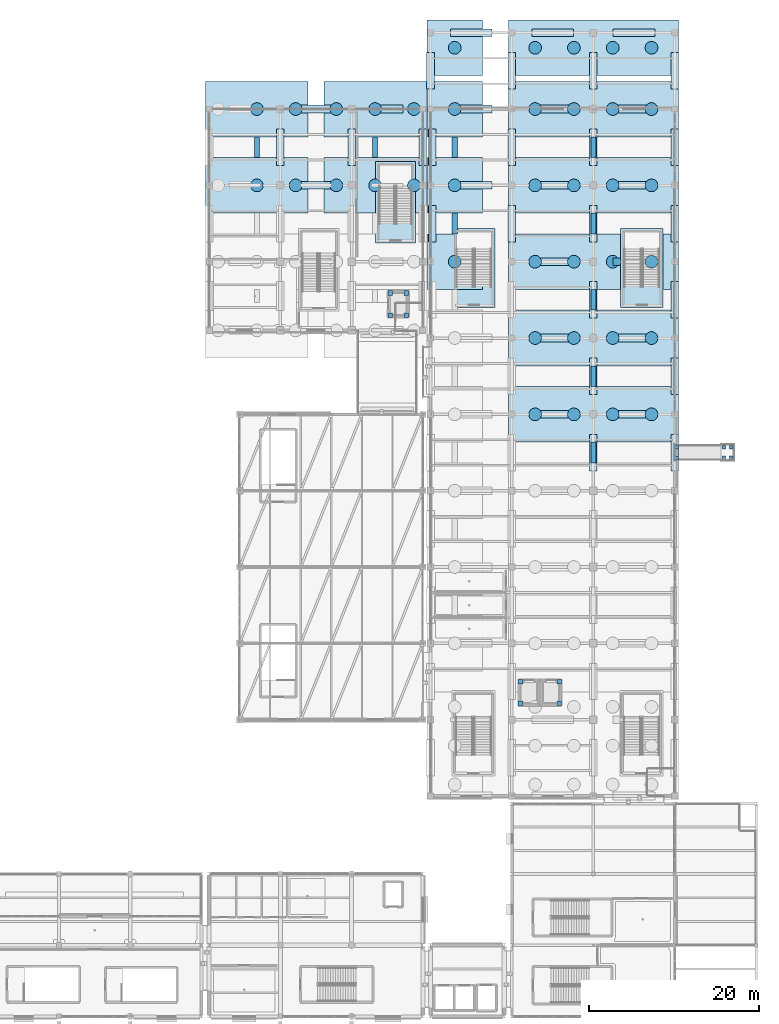
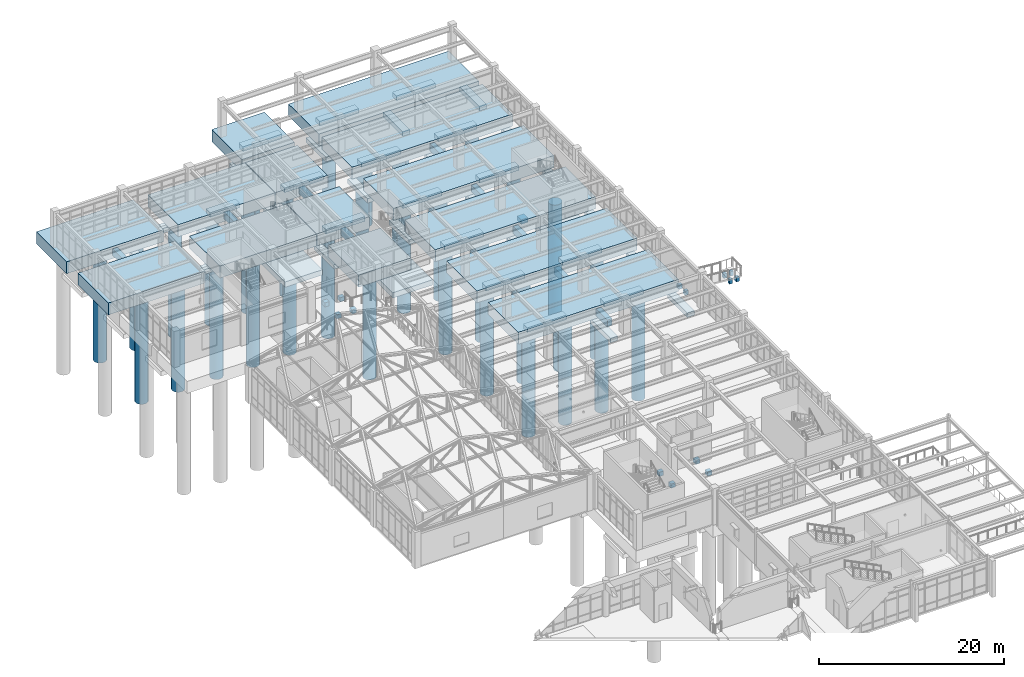
# One storey, part 2 of 139: 79 footings, 38 piles.
"""IFC4 building model written with IfcOpenShell, lengths in metres."""

from ifc_helpers import new_model, si_unit, direction, frame, origin, origin_2d, place, context, subcontext, project, spatial, rectangle, circle, extrude, material, material_profile, profile_set, type_object, element, save


model = new_model("IFC4")

# Units and contexts
model_context = context("Model", 3, precision=1e-05, world=origin(), true_north=direction((0.0, 1.0)))
body_context = subcontext(model_context, "Body", "Model", "MODEL_VIEW")
ifc_project = project(units=[si_unit("LENGTHUNIT", "METRE"), si_unit("AREAUNIT", "SQUARE_METRE"), si_unit("VOLUMEUNIT", "CUBIC_METRE"), si_unit("PLANEANGLEUNIT", "RADIAN"), si_unit("MASSUNIT", "GRAM", prefix="KILO")], contexts=[model_context])

# Site, building, storey
site_placement = place(None, origin())
site = spatial("IfcSite", under=ifc_project, at=site_placement, CompositionType="ELEMENT")
building_placement = place(site_placement, origin())
building = spatial("IfcBuilding", under=site, at=building_placement, Name="Canglan Escarpment Cableway Terminal", CompositionType="ELEMENT")
storey_placement = place(building_placement, frame((0.0, 0.0, 14.39990234375)))
storey = spatial("IfcBuildingStorey", under=building, at=storey_placement, Name="L03", CompositionType="ELEMENT", Elevation=14.39990234375)

# Footings
ifc_material = material(Name="Concrete C40", Category="concrete")
ifc_material_profile_1 = material_profile(ifc_material, rectangle(XDim=0.60009765625, YDim=0.89990234375, at=origin_2d()), Name="FB 600x900")
ifc_profile_set_1 = profile_set([ifc_material_profile_1], Name="Concrete C40")
footing_type_1 = type_object("IfcFootingType", Name="FTG-BEAM-600x900", PredefinedType="FOOTING_BEAM", material=ifc_profile_set_1)
for number, where, z_axis, x_axis, name in (
    (1, (117.12841796875, 109.279052734375, -0.75), (0.0, 1.0, 0.0), (-1.0, 0.0, 0.0), "Reinforced concrete ground tie beam FB-02"),
    (2, (131.071533203125, 109.279052734375, -0.75), (0.0, 1.0, 0.0), (-1.0, 0.0, 0.0), "Reinforced concrete ground tie beam FB-02"),
    (3, (140.45703125, 100.279052734375, -0.75), (0.0, 1.0, 0.0), (-1.0, 0.0, 0.0), "Reinforced concrete ground tie beam FB-02"),
    (4, (140.45703125, 109.279052734375, -0.75), (0.0, 1.0, 0.0), (-1.0, 0.0, 0.0), "Reinforced concrete ground tie beam FB-02"),
    (5, (156.800048828125, 73.279052734375, -0.75), (0.0, 1.0, 0.0), (-1.0, 0.0, 0.0), "Reinforced concrete ground tie beam FB-02"),
    (6, (156.800048828125, 82.279052734375, -0.75), (0.0, 1.0, 0.0), (-1.0, 0.0, 0.0), "Reinforced concrete ground tie beam FB-02"),
    (7, (156.800048828125, 91.279052734375, -0.75), (0.0, 1.0, 0.0), (-1.0, 0.0, 0.0), "Reinforced concrete ground tie beam FB-02"),
    (8, (156.800048828125, 100.279052734375, -0.75), (0.0, 1.0, 0.0), (-1.0, 0.0, 0.0), "Reinforced concrete ground tie beam FB-02"),
    (9, (156.800048828125, 109.279052734375, -0.75), (0.0, 1.0, 0.0), (-1.0, 0.0, 0.0), "Reinforced concrete ground tie beam FB-02"),
):
    element("IfcFooting", number, at=place(storey_placement, frame(where, z_axis=z_axis, x_axis=x_axis)), inside=storey, type_object=footing_type_1, Name=name, PredefinedType="FOOTING_BEAM", context=body_context, shape_type="SweptSolid", body=[
        extrude(rectangle(XDim=0.60009765625, YDim=0.89990234375, at=origin_2d()), origin(), (0.0, 0.0, 1.0), 2.44189453125),
    ])
footing_type_2 = type_object("IfcFootingType", Name="FTG-CAP-12097x6554x1580", PredefinedType="PILE_CAP", material=ifc_material)
for number, where, z_axis, x_axis, name in (
    (10, (117.12841796875, 106.0, -1.579833984375), (0.0, 0.0, 1.0), (1.0, 0.0, 0.0), "Reinforced concrete pile cap PC-10"),
    (11, (117.12841796875, 115.0, -1.579833984375), (0.0, 0.0, 1.0), (1.0, 0.0, 0.0), "Reinforced concrete pile cap PC-10"),
    (12, (131.071533203125, 106.0, -1.579833984375), (0.0, 0.0, 1.0), (1.0, 0.0, 0.0), "Reinforced concrete pile cap PC-10"),
    (13, (131.071533203125, 115.0, -1.579833984375), (0.0, 0.0, 1.0), (1.0, 0.0, 0.0), "Reinforced concrete pile cap PC-10"),
):
    element("IfcFooting", number, at=place(storey_placement, frame(where, z_axis=z_axis, x_axis=x_axis)), inside=storey, type_object=footing_type_2, Name=name, PredefinedType="PILE_CAP", context=body_context, shape_type="SweptSolid", body=[
        extrude(rectangle(XDim=12.096923828125, YDim=6.553955078125, at=origin_2d()), origin(), (0.0, 0.0, 1.0), 1.580078125),
    ])
footing_type_3 = type_object("IfcFootingType", Name="FTG-CAP-20040x6554x1580", PredefinedType="PILE_CAP", material=ifc_material)
for number, where, z_axis, x_axis, name in (
    (14, (156.800048828125, 79.0, -1.579833984375), (0.0, 0.0, 1.0), (1.0, 0.0, 0.0), "Reinforced concrete pile cap PC-14"),
    (15, (156.800048828125, 88.0, -1.579833984375), (0.0, 0.0, 1.0), (1.0, 0.0, 0.0), "Reinforced concrete pile cap PC-14"),
    (16, (156.800048828125, 97.0, -1.579833984375), (0.0, 0.0, 1.0), (1.0, 0.0, 0.0), "Reinforced concrete pile cap PC-14"),
    (17, (156.800048828125, 106.0, -1.579833984375), (0.0, 0.0, 1.0), (1.0, 0.0, 0.0), "Reinforced concrete pile cap PC-14"),
    (18, (156.800048828125, 115.0, -1.579833984375), (0.0, 0.0, 1.0), (1.0, 0.0, 0.0), "Reinforced concrete pile cap PC-14"),
    (19, (156.800048828125, 122.222900390625, -1.579833984375), (0.0, 0.0, 1.0), (1.0, 0.0, 0.0), "Reinforced concrete pile cap PC-14"),
):
    element("IfcFooting", number, at=place(storey_placement, frame(where, z_axis=z_axis, x_axis=x_axis)), inside=storey, type_object=footing_type_3, Name=name, PredefinedType="PILE_CAP", context=body_context, shape_type="SweptSolid", body=[
        extrude(rectangle(XDim=20.0400390625, YDim=6.553955078125, at=origin_2d()), origin(), (0.0, 0.0, 1.0), 1.580078125),
    ])
footing_type_4 = type_object("IfcFootingType", Name="FTG-CAP-6554x6554x1580", PredefinedType="PILE_CAP", material=ifc_material)
for number, where, z_axis, x_axis, name in (
    (20, (140.45703125, 97.0, -1.579833984375), (0.0, 0.0, 1.0), (1.0, 0.0, 0.0), "Reinforced concrete pile cap PC-12"),
    (21, (140.45703125, 106.0, -1.579833984375), (0.0, 0.0, 1.0), (1.0, 0.0, 0.0), "Reinforced concrete pile cap PC-12"),
    (22, (140.45703125, 115.0, -1.579833984375), (0.0, 0.0, 1.0), (1.0, 0.0, 0.0), "Reinforced concrete pile cap PC-12"),
    (23, (140.45703125, 122.222900390625, -1.579833984375), (0.0, 0.0, 1.0), (1.0, 0.0, 0.0), "Reinforced concrete pile cap PC-12"),
):
    element("IfcFooting", number, at=place(storey_placement, frame(where, z_axis=z_axis, x_axis=x_axis)), inside=storey, type_object=footing_type_4, Name=name, PredefinedType="PILE_CAP", context=body_context, shape_type="SweptSolid", body=[
        extrude(rectangle(XDim=6.553955078125, YDim=6.553955078125, at=origin_2d()), origin(), (0.0, 0.0, 1.0), 1.580078125),
    ])
footing_type_5 = type_object("IfcFootingType", Name="FTG-PAD-380x380x600", PredefinedType="PAD_FOOTING", material=ifc_material)
for number, where, z_axis, x_axis, name in (
    (24, (172.2099609375, 73.8798828125, -1.25), (0.0, 0.0, 1.0), (1.0, 0.0, 0.0), "Reinforced concrete auxiliary pad footing PF-12"),
    (25, (173.050048828125, 73.8798828125, -1.25), (0.0, 0.0, 1.0), (1.0, 0.0, 0.0), "Reinforced concrete auxiliary pad footing PF-12"),
    (26, (173.050048828125, 75.1201171875, -1.25), (0.0, 0.0, 1.0), (1.0, 0.0, 0.0), "Reinforced concrete auxiliary pad footing PF-12"),
    (27, (172.2099609375, 75.1201171875, -1.25), (0.0, 0.0, 1.0), (1.0, 0.0, 0.0), "Reinforced concrete auxiliary pad footing PF-12"),
):
    element("IfcFooting", number, at=place(storey_placement, frame(where, z_axis=z_axis, x_axis=x_axis)), inside=storey, type_object=footing_type_5, Name=name, PredefinedType="PAD_FOOTING", context=body_context, shape_type="SweptSolid", body=[
        extrude(rectangle(XDim=0.3798828125, YDim=0.3798828125, at=origin_2d()), origin(), (0.0, 0.0, 1.0), 0.60009765625),
    ])
footing_type_6 = type_object("IfcFootingType", Name="FTG-PAD-420x420x550", PredefinedType="PAD_FOOTING", material=ifc_material)
for number, where, z_axis, x_axis, name in (
    (28, (166.64990234375, 73.85009765625, -0.75), (0.0, 0.0, 1.0), (1.0, 0.0, 0.0), "Reinforced concrete auxiliary pad footing PF-13"),
    (29, (166.64990234375, 75.14990234375, -0.75), (0.0, 0.0, 1.0), (1.0, 0.0, 0.0), "Reinforced concrete auxiliary pad footing PF-13"),
):
    element("IfcFooting", number, at=place(storey_placement, frame(where, z_axis=z_axis, x_axis=x_axis)), inside=storey, type_object=footing_type_6, Name=name, PredefinedType="PAD_FOOTING", context=body_context, shape_type="SweptSolid", body=[
        extrude(rectangle(XDim=0.419921875, YDim=0.419921875, at=origin_2d()), origin(), (0.0, 0.0, 1.0), 0.550048828125),
    ])
footing_type_7 = type_object("IfcFootingType", Name="FTG-PAD-4690x9640x700", PredefinedType="PAD_FOOTING", material=ifc_material)
footing_1_placement = place(storey_placement, frame((133.47509765625, 104.0, -2.7998046875), z_axis=(0.0, 0.0, 1.0), x_axis=(1.0, 0.0, 0.0)))
element("IfcFooting", 30, at=footing_1_placement, inside=storey, type_object=footing_type_7, Name="Reinforced concrete auxiliary pad footing PF-09", PredefinedType="PAD_FOOTING", context=body_context, shape_type="SweptSolid", body=[
    extrude(rectangle(XDim=4.68994140625, YDim=9.639892578125, at=origin_2d()), origin(), (0.0, 0.0, 1.0), 0.699951171875),
])
footing_type_8 = type_object("IfcFootingType", Name="FTG-PAD-4990x9340x700", PredefinedType="PAD_FOOTING", material=ifc_material)
for number, where, z_axis, x_axis, name in (
    (31, (142.72509765625, 96.25, -2.7998046875), (0.0, 0.0, 1.0), (1.0, 0.0, 0.0), "Reinforced concrete auxiliary pad footing PF-11"),
    (32, (162.52490234375, 96.25, -2.7998046875), (0.0, 0.0, 1.0), (1.0, 0.0, 0.0), "Reinforced concrete auxiliary pad footing PF-11"),
):
    element("IfcFooting", number, at=place(storey_placement, frame(where, z_axis=z_axis, x_axis=x_axis)), inside=storey, type_object=footing_type_8, Name=name, PredefinedType="PAD_FOOTING", context=body_context, shape_type="SweptSolid", body=[
        extrude(rectangle(XDim=4.989990234375, YDim=9.340087890625, at=origin_2d()), origin(), (0.0, 0.0, 1.0), 0.699951171875),
    ])
footing_type_9 = type_object("IfcFootingType", Name="FTG-PAD-550x550x550", PredefinedType="PAD_FOOTING", material=ifc_material)
for number, where, z_axis, x_axis, name in (
    (33, (148.219970703125, 44.919921875, -2.18994140625), (0.0, 0.0, 1.0), (1.0, 0.0, 0.0), "Reinforced concrete auxiliary pad footing PF-14"),
    (34, (152.780029296875, 44.919921875, -2.18994140625), (0.0, 0.0, 1.0), (1.0, 0.0, 0.0), "Reinforced concrete auxiliary pad footing PF-14"),
    (35, (152.780029296875, 47.47998046875, -2.18994140625), (0.0, 0.0, 1.0), (1.0, 0.0, 0.0), "Reinforced concrete auxiliary pad footing PF-14"),
    (36, (148.219970703125, 47.47998046875, -2.18994140625), (0.0, 0.0, 1.0), (1.0, 0.0, 0.0), "Reinforced concrete auxiliary pad footing PF-14"),
    (37, (132.840087890625, 90.68994140625, -2.18994140625), (0.0, 0.0, 1.0), (1.0, 0.0, 0.0), "Reinforced concrete auxiliary pad footing PF-14"),
    (38, (134.760009765625, 90.68994140625, -2.18994140625), (0.0, 0.0, 1.0), (1.0, 0.0, 0.0), "Reinforced concrete auxiliary pad footing PF-14"),
    (39, (134.760009765625, 93.31005859375, -2.18994140625), (0.0, 0.0, 1.0), (1.0, 0.0, 0.0), "Reinforced concrete auxiliary pad footing PF-14"),
    (40, (132.840087890625, 93.31005859375, -2.18994140625), (0.0, 0.0, 1.0), (1.0, 0.0, 0.0), "Reinforced concrete auxiliary pad footing PF-14"),
):
    element("IfcFooting", number, at=place(storey_placement, frame(where, z_axis=z_axis, x_axis=x_axis)), inside=storey, type_object=footing_type_9, Name=name, PredefinedType="PAD_FOOTING", context=body_context, shape_type="SweptSolid", body=[
        extrude(rectangle(XDim=0.550048828125, YDim=0.550048828125, at=origin_2d()), origin(), (0.0, 0.0, 1.0), 0.550048828125),
    ])
ifc_material_profile_2 = material_profile(ifc_material, rectangle(XDim=0.89990234375, YDim=0.60009765625, at=origin_2d()), Name="SF 900x600")
ifc_profile_set_2 = profile_set([ifc_material_profile_2], Name="Concrete C40")
footing_type_10 = type_object("IfcFootingType", Name="FTG-STRIP-900x600", PredefinedType="STRIP_FOOTING", material=ifc_profile_set_2)
for number, where, z_axis, x_axis, name in (
    (41, (122.25, 106.0, -2.39990234375), (1.0, 0.0, 0.0), (0.0, 1.0, 0.0), "Bench foundation strip footing SF-F1"),
    (42, (122.25, 115.0, -2.39990234375), (1.0, 0.0, 0.0), (0.0, 1.0, 0.0), "Bench foundation strip footing SF-F1"),
):
    element("IfcFooting", number, at=place(storey_placement, frame(where, z_axis=z_axis, x_axis=x_axis)), inside=storey, type_object=footing_type_10, Name=name, PredefinedType="STRIP_FOOTING", context=body_context, shape_type="SweptSolid", body=[
        extrude(rectangle(XDim=0.89990234375, YDim=0.60009765625, at=origin_2d()), origin(), (0.0, 0.0, 1.0), 3.699951171875),
    ])
footing_2_placement = place(storey_placement, frame((130.64990234375, 115.0, -2.39990234375), z_axis=(1.0, 0.0, 0.0), x_axis=(0.0, 1.0, 0.0)))
element("IfcFooting", 43, at=footing_2_placement, inside=storey, type_object=footing_type_10, Name="Bench foundation strip footing SF-F1", PredefinedType="STRIP_FOOTING", context=body_context, shape_type="SweptSolid", body=[
    extrude(rectangle(XDim=0.89990234375, YDim=0.60009765625, at=origin_2d()), origin(), (0.0, 0.0, 1.0), 3.7001953125),
])
for number, where, z_axis, x_axis, name in (
    (44, (119.89990234375, 108.35009765625, -2.39990234375), (0.0, 1.0, 0.0), (-1.0, 0.0, 0.0), "Bench foundation strip footing SF-F1"),
    (45, (128.300048828125, 108.35009765625, -2.39990234375), (0.0, 1.0, 0.0), (-1.0, 0.0, 0.0), "Bench foundation strip footing SF-F1"),
    (46, (136.699951171875, 108.35009765625, -2.39990234375), (0.0, 1.0, 0.0), (-1.0, 0.0, 0.0), "Bench foundation strip footing SF-F1"),
):
    element("IfcFooting", number, at=place(storey_placement, frame(where, z_axis=z_axis, x_axis=x_axis)), inside=storey, type_object=footing_type_10, Name=name, PredefinedType="STRIP_FOOTING", context=body_context, shape_type="SweptSolid", body=[
        extrude(rectangle(XDim=0.89990234375, YDim=0.60009765625, at=origin_2d()), origin(), (0.0, 0.0, 1.0), 4.2998046875),
    ])
footing_3_placement = place(storey_placement, frame((149.550048828125, 79.0, -2.39990234375), z_axis=(1.0, 0.0, 0.0), x_axis=(0.0, 1.0, 0.0)))
element("IfcFooting", 47, at=footing_3_placement, inside=storey, type_object=footing_type_10, Name="Bench foundation strip footing SF-F1", PredefinedType="STRIP_FOOTING", context=body_context, shape_type="SweptSolid", body=[
    extrude(rectangle(XDim=0.89990234375, YDim=0.60009765625, at=origin_2d()), origin(), (0.0, 0.0, 1.0), 4.89990234375),
])
footing_4_placement = place(storey_placement, frame((159.14990234375, 79.0, -2.39990234375), z_axis=(1.0, 0.0, 0.0), x_axis=(0.0, 1.0, 0.0)))
element("IfcFooting", 48, at=footing_4_placement, inside=storey, type_object=footing_type_10, Name="Bench foundation strip footing SF-F1", PredefinedType="STRIP_FOOTING", context=body_context, shape_type="SweptSolid", body=[
    extrude(rectangle(XDim=0.89990234375, YDim=0.60009765625, at=origin_2d()), origin(), (0.0, 0.0, 1.0), 4.900146484375),
])
footing_5_placement = place(storey_placement, frame((149.550048828125, 88.0, -2.39990234375), z_axis=(1.0, 0.0, 0.0), x_axis=(0.0, 1.0, 0.0)))
element("IfcFooting", 49, at=footing_5_placement, inside=storey, type_object=footing_type_10, Name="Bench foundation strip footing SF-F1", PredefinedType="STRIP_FOOTING", context=body_context, shape_type="SweptSolid", body=[
    extrude(rectangle(XDim=0.89990234375, YDim=0.60009765625, at=origin_2d()), origin(), (0.0, 0.0, 1.0), 4.89990234375),
])
footing_6_placement = place(storey_placement, frame((159.14990234375, 88.0, -2.39990234375), z_axis=(1.0, 0.0, 0.0), x_axis=(0.0, 1.0, 0.0)))
element("IfcFooting", 50, at=footing_6_placement, inside=storey, type_object=footing_type_10, Name="Bench foundation strip footing SF-F1", PredefinedType="STRIP_FOOTING", context=body_context, shape_type="SweptSolid", body=[
    extrude(rectangle(XDim=0.89990234375, YDim=0.60009765625, at=origin_2d()), origin(), (0.0, 0.0, 1.0), 4.900146484375),
])
footing_7_placement = place(storey_placement, frame((149.550048828125, 97.0, -2.39990234375), z_axis=(1.0, 0.0, 0.0), x_axis=(0.0, 1.0, 0.0)))
element("IfcFooting", 51, at=footing_7_placement, inside=storey, type_object=footing_type_10, Name="Bench foundation strip footing SF-F1", PredefinedType="STRIP_FOOTING", context=body_context, shape_type="SweptSolid", body=[
    extrude(rectangle(XDim=0.89990234375, YDim=0.60009765625, at=origin_2d()), origin(), (0.0, 0.0, 1.0), 4.89990234375),
])
footing_8_placement = place(storey_placement, frame((159.14990234375, 97.0, -2.39990234375), z_axis=(1.0, 0.0, 0.0), x_axis=(0.0, 1.0, 0.0)))
element("IfcFooting", 52, at=footing_8_placement, inside=storey, type_object=footing_type_10, Name="Bench foundation strip footing SF-F1", PredefinedType="STRIP_FOOTING", context=body_context, shape_type="SweptSolid", body=[
    extrude(rectangle(XDim=0.89990234375, YDim=0.60009765625, at=origin_2d()), origin(), (0.0, 0.0, 1.0), 0.8701171875),
])
footing_9_placement = place(storey_placement, frame((139.949951171875, 106.0, -2.39990234375), z_axis=(1.0, 0.0, 0.0), x_axis=(0.0, 1.0, 0.0)))
element("IfcFooting", 53, at=footing_9_placement, inside=storey, type_object=footing_type_10, Name="Bench foundation strip footing SF-F1", PredefinedType="STRIP_FOOTING", context=body_context, shape_type="SweptSolid", body=[
    extrude(rectangle(XDim=0.89990234375, YDim=0.60009765625, at=origin_2d()), origin(), (0.0, 0.0, 1.0), 4.900146484375),
])
footing_10_placement = place(storey_placement, frame((149.550048828125, 106.0, -2.39990234375), z_axis=(1.0, 0.0, 0.0), x_axis=(0.0, 1.0, 0.0)))
element("IfcFooting", 54, at=footing_10_placement, inside=storey, type_object=footing_type_10, Name="Bench foundation strip footing SF-F1", PredefinedType="STRIP_FOOTING", context=body_context, shape_type="SweptSolid", body=[
    extrude(rectangle(XDim=0.89990234375, YDim=0.60009765625, at=origin_2d()), origin(), (0.0, 0.0, 1.0), 4.89990234375),
])
for number, where, z_axis, x_axis, name in (
    (55, (159.14990234375, 106.0, -2.39990234375), (1.0, 0.0, 0.0), (0.0, 1.0, 0.0), "Bench foundation strip footing SF-F1"),
    (56, (139.949951171875, 115.0, -2.39990234375), (1.0, 0.0, 0.0), (0.0, 1.0, 0.0), "Bench foundation strip footing SF-F1"),
):
    element("IfcFooting", number, at=place(storey_placement, frame(where, z_axis=z_axis, x_axis=x_axis)), inside=storey, type_object=footing_type_10, Name=name, PredefinedType="STRIP_FOOTING", context=body_context, shape_type="SweptSolid", body=[
        extrude(rectangle(XDim=0.89990234375, YDim=0.60009765625, at=origin_2d()), origin(), (0.0, 0.0, 1.0), 4.900146484375),
    ])
footing_11_placement = place(storey_placement, frame((149.550048828125, 115.0, -2.39990234375), z_axis=(1.0, 0.0, 0.0), x_axis=(0.0, 1.0, 0.0)))
element("IfcFooting", 57, at=footing_11_placement, inside=storey, type_object=footing_type_10, Name="Bench foundation strip footing SF-F1", PredefinedType="STRIP_FOOTING", context=body_context, shape_type="SweptSolid", body=[
    extrude(rectangle(XDim=0.89990234375, YDim=0.60009765625, at=origin_2d()), origin(), (0.0, 0.0, 1.0), 4.89990234375),
])
for number, where, z_axis, x_axis, name in (
    (58, (159.14990234375, 115.0, -2.39990234375), (1.0, 0.0, 0.0), (0.0, 1.0, 0.0), "Bench foundation strip footing SF-F1"),
    (59, (139.949951171875, 124.0, -2.39990234375), (1.0, 0.0, 0.0), (0.0, 1.0, 0.0), "Bench foundation strip footing SF-F1"),
):
    element("IfcFooting", number, at=place(storey_placement, frame(where, z_axis=z_axis, x_axis=x_axis)), inside=storey, type_object=footing_type_10, Name=name, PredefinedType="STRIP_FOOTING", context=body_context, shape_type="SweptSolid", body=[
        extrude(rectangle(XDim=0.89990234375, YDim=0.60009765625, at=origin_2d()), origin(), (0.0, 0.0, 1.0), 4.900146484375),
    ])
footing_12_placement = place(storey_placement, frame((149.550048828125, 124.0, -2.39990234375), z_axis=(1.0, 0.0, 0.0), x_axis=(0.0, 1.0, 0.0)))
element("IfcFooting", 60, at=footing_12_placement, inside=storey, type_object=footing_type_10, Name="Bench foundation strip footing SF-F1", PredefinedType="STRIP_FOOTING", context=body_context, shape_type="SweptSolid", body=[
    extrude(rectangle(XDim=0.89990234375, YDim=0.60009765625, at=origin_2d()), origin(), (0.0, 0.0, 1.0), 4.89990234375),
])
footing_13_placement = place(storey_placement, frame((159.14990234375, 124.0, -2.39990234375), z_axis=(1.0, 0.0, 0.0), x_axis=(0.0, 1.0, 0.0)))
element("IfcFooting", 61, at=footing_13_placement, inside=storey, type_object=footing_type_10, Name="Bench foundation strip footing SF-F1", PredefinedType="STRIP_FOOTING", context=body_context, shape_type="SweptSolid", body=[
    extrude(rectangle(XDim=0.89990234375, YDim=0.60009765625, at=origin_2d()), origin(), (0.0, 0.0, 1.0), 4.900146484375),
])
for number, where, z_axis, x_axis, name in (
    (62, (137.820068359375, 99.35009765625, -2.39990234375), (0.0, 1.0, 0.0), (-1.0, 0.0, 0.0), "Bench foundation strip footing SF-F1"),
    (63, (137.820068359375, 108.35009765625, -2.39990234375), (0.0, 1.0, 0.0), (-1.0, 0.0, 0.0), "Bench foundation strip footing SF-F1"),
    (64, (137.60009765625, 117.35009765625, -2.39990234375), (0.0, 1.0, 0.0), (-1.0, 0.0, 0.0), "Bench foundation strip footing SF-F1"),
    (65, (147.199951171875, 99.35009765625, -2.39990234375), (0.0, 1.0, 0.0), (-1.0, 0.0, 0.0), "Bench foundation strip footing SF-F1"),
    (66, (147.199951171875, 108.35009765625, -2.39990234375), (0.0, 1.0, 0.0), (-1.0, 0.0, 0.0), "Bench foundation strip footing SF-F1"),
    (67, (147.199951171875, 117.35009765625, -2.39990234375), (0.0, 1.0, 0.0), (-1.0, 0.0, 0.0), "Bench foundation strip footing SF-F1"),
    (68, (156.800048828125, 72.35009765625, -2.39990234375), (0.0, 1.0, 0.0), (-1.0, 0.0, 0.0), "Bench foundation strip footing SF-F1"),
    (69, (156.800048828125, 81.35009765625, -2.39990234375), (0.0, 1.0, 0.0), (-1.0, 0.0, 0.0), "Bench foundation strip footing SF-F1"),
    (70, (156.800048828125, 90.35009765625, -2.39990234375), (0.0, 1.0, 0.0), (-1.0, 0.0, 0.0), "Bench foundation strip footing SF-F1"),
    (71, (156.800048828125, 99.35009765625, -2.39990234375), (0.0, 1.0, 0.0), (-1.0, 0.0, 0.0), "Bench foundation strip footing SF-F1"),
    (72, (156.800048828125, 108.35009765625, -2.39990234375), (0.0, 1.0, 0.0), (-1.0, 0.0, 0.0), "Bench foundation strip footing SF-F1"),
    (73, (156.800048828125, 117.35009765625, -2.39990234375), (0.0, 1.0, 0.0), (-1.0, 0.0, 0.0), "Bench foundation strip footing SF-F1"),
    (74, (166.39990234375, 72.35009765625, -2.39990234375), (0.0, 1.0, 0.0), (-1.0, 0.0, 0.0), "Bench foundation strip footing SF-F1"),
    (75, (166.39990234375, 81.35009765625, -2.39990234375), (0.0, 1.0, 0.0), (-1.0, 0.0, 0.0), "Bench foundation strip footing SF-F1"),
    (76, (166.39990234375, 90.35009765625, -2.39990234375), (0.0, 1.0, 0.0), (-1.0, 0.0, 0.0), "Bench foundation strip footing SF-F1"),
    (77, (166.39990234375, 99.35009765625, -2.39990234375), (0.0, 1.0, 0.0), (-1.0, 0.0, 0.0), "Bench foundation strip footing SF-F1"),
    (78, (166.39990234375, 108.35009765625, -2.39990234375), (0.0, 1.0, 0.0), (-1.0, 0.0, 0.0), "Bench foundation strip footing SF-F1"),
    (79, (166.39990234375, 117.35009765625, -2.39990234375), (0.0, 1.0, 0.0), (-1.0, 0.0, 0.0), "Bench foundation strip footing SF-F1"),
):
    element("IfcFooting", number, at=place(storey_placement, frame(where, z_axis=z_axis, x_axis=x_axis)), inside=storey, type_object=footing_type_10, Name=name, PredefinedType="STRIP_FOOTING", context=body_context, shape_type="SweptSolid", body=[
        extrude(rectangle(XDim=0.89990234375, YDim=0.60009765625, at=origin_2d()), origin(), (0.0, 0.0, 1.0), 4.2998046875),
    ])

# Piles
ifc_material_profile_3 = material_profile(ifc_material, circle(Radius=0.75, at=origin_2d()), Name="BORED PILE D1500")
ifc_profile_set_3 = profile_set([ifc_material_profile_3], Name="Concrete C40")
pile_type = type_object("IfcPileType", Name="PILE-D1500", PredefinedType="BORED", material=ifc_profile_set_3)
for number, where, z_axis, x_axis, name in (
    (80, (117.12841796875, 106.0, -1.47998046875), (0.0, 0.0, -1.0), (1.0, 0.0, 0.0), "Rock-socketed bored pile P-05"),
    (81, (121.70361328125, 106.0, -1.47998046875), (0.0, 0.0, -1.0), (1.0, 0.0, 0.0), "Rock-socketed bored pile P-05"),
    (82, (117.12841796875, 115.0, -1.47998046875), (0.0, 0.0, -1.0), (1.0, 0.0, 0.0), "Rock-socketed bored pile P-05"),
    (83, (121.70361328125, 115.0, -1.47998046875), (0.0, 0.0, -1.0), (1.0, 0.0, 0.0), "Rock-socketed bored pile P-05"),
    (84, (126.49658203125, 106.0, -1.47998046875), (0.0, 0.0, -1.0), (1.0, 0.0, 0.0), "Rock-socketed bored pile P-05"),
    (85, (131.071533203125, 106.0, -1.47998046875), (0.0, 0.0, -1.0), (1.0, 0.0, 0.0), "Rock-socketed bored pile P-05"),
    (86, (135.646484375, 106.0, -1.47998046875), (0.0, 0.0, -1.0), (1.0, 0.0, 0.0), "Rock-socketed bored pile P-05"),
    (87, (126.49658203125, 115.0, -1.47998046875), (0.0, 0.0, -1.0), (1.0, 0.0, 0.0), "Rock-socketed bored pile P-05"),
    (88, (131.071533203125, 115.0, -1.47998046875), (0.0, 0.0, -1.0), (1.0, 0.0, 0.0), "Rock-socketed bored pile P-05"),
    (89, (135.646484375, 115.0, -1.47998046875), (0.0, 0.0, -1.0), (1.0, 0.0, 0.0), "Rock-socketed bored pile P-05"),
):
    element("IfcPile", number, at=place(storey_placement, frame(where, z_axis=z_axis, x_axis=x_axis)), inside=storey, type_object=pile_type, Name=name, PredefinedType="BORED", context=body_context, shape_type="SweptSolid", body=[
        extrude(circle(Radius=0.75, at=origin_2d()), origin(), (0.0, 0.0, 1.0), 15.5),
    ])
for number, where, z_axis, x_axis, name in (
    (90, (140.45703125, 97.0, -1.47998046875), (0.0, 0.0, -1.0), (1.0, 0.0, 0.0), "Rock-socketed bored pile P-05"),
    (91, (140.45703125, 106.0, -1.47998046875), (0.0, 0.0, -1.0), (1.0, 0.0, 0.0), "Rock-socketed bored pile P-05"),
    (92, (140.45703125, 115.0, -1.47998046875), (0.0, 0.0, -1.0), (1.0, 0.0, 0.0), "Rock-socketed bored pile P-05"),
    (93, (140.45703125, 122.222900390625, -1.47998046875), (0.0, 0.0, -1.0), (1.0, 0.0, 0.0), "Rock-socketed bored pile P-05"),
    (94, (149.9375, 79.0, -1.47998046875), (0.0, 0.0, -1.0), (1.0, 0.0, 0.0), "Rock-socketed bored pile P-05"),
    (95, (154.512451171875, 79.0, -1.47998046875), (0.0, 0.0, -1.0), (1.0, 0.0, 0.0), "Rock-socketed bored pile P-05"),
    (96, (159.08740234375, 79.0, -1.47998046875), (0.0, 0.0, -1.0), (1.0, 0.0, 0.0), "Rock-socketed bored pile P-05"),
    (97, (163.66259765625, 79.0, -1.47998046875), (0.0, 0.0, -1.0), (1.0, 0.0, 0.0), "Rock-socketed bored pile P-05"),
    (98, (149.9375, 88.0, -1.47998046875), (0.0, 0.0, -1.0), (1.0, 0.0, 0.0), "Rock-socketed bored pile P-05"),
    (99, (154.512451171875, 88.0, -1.47998046875), (0.0, 0.0, -1.0), (1.0, 0.0, 0.0), "Rock-socketed bored pile P-05"),
    (100, (159.08740234375, 88.0, -1.47998046875), (0.0, 0.0, -1.0), (1.0, 0.0, 0.0), "Rock-socketed bored pile P-05"),
    (101, (163.66259765625, 88.0, -1.47998046875), (0.0, 0.0, -1.0), (1.0, 0.0, 0.0), "Rock-socketed bored pile P-05"),
    (102, (149.9375, 97.0, -1.47998046875), (0.0, 0.0, -1.0), (1.0, 0.0, 0.0), "Rock-socketed bored pile P-05"),
    (103, (154.512451171875, 97.0, -1.47998046875), (0.0, 0.0, -1.0), (1.0, 0.0, 0.0), "Rock-socketed bored pile P-05"),
    (104, (159.08740234375, 97.0, -1.47998046875), (0.0, 0.0, -1.0), (1.0, 0.0, 0.0), "Rock-socketed bored pile P-05"),
    (105, (163.66259765625, 97.0, -1.47998046875), (0.0, 0.0, -1.0), (1.0, 0.0, 0.0), "Rock-socketed bored pile P-05"),
    (106, (149.9375, 106.0, -1.47998046875), (0.0, 0.0, -1.0), (1.0, 0.0, 0.0), "Rock-socketed bored pile P-05"),
    (107, (154.512451171875, 106.0, -1.47998046875), (0.0, 0.0, -1.0), (1.0, 0.0, 0.0), "Rock-socketed bored pile P-05"),
    (108, (159.08740234375, 106.0, -1.47998046875), (0.0, 0.0, -1.0), (1.0, 0.0, 0.0), "Rock-socketed bored pile P-05"),
    (109, (163.66259765625, 106.0, -1.47998046875), (0.0, 0.0, -1.0), (1.0, 0.0, 0.0), "Rock-socketed bored pile P-05"),
    (110, (149.9375, 115.0, -1.47998046875), (0.0, 0.0, -1.0), (1.0, 0.0, 0.0), "Rock-socketed bored pile P-05"),
    (111, (154.512451171875, 115.0, -1.47998046875), (0.0, 0.0, -1.0), (1.0, 0.0, 0.0), "Rock-socketed bored pile P-05"),
    (112, (159.08740234375, 115.0, -1.47998046875), (0.0, 0.0, -1.0), (1.0, 0.0, 0.0), "Rock-socketed bored pile P-05"),
    (113, (163.66259765625, 115.0, -1.47998046875), (0.0, 0.0, -1.0), (1.0, 0.0, 0.0), "Rock-socketed bored pile P-05"),
    (114, (149.9375, 122.222900390625, -1.47998046875), (0.0, 0.0, -1.0), (1.0, 0.0, 0.0), "Rock-socketed bored pile P-05"),
    (115, (154.512451171875, 122.222900390625, -1.47998046875), (0.0, 0.0, -1.0), (1.0, 0.0, 0.0), "Rock-socketed bored pile P-05"),
    (116, (159.08740234375, 122.222900390625, -1.47998046875), (0.0, 0.0, -1.0), (1.0, 0.0, 0.0), "Rock-socketed bored pile P-05"),
    (117, (163.66259765625, 122.222900390625, -1.47998046875), (0.0, 0.0, -1.0), (1.0, 0.0, 0.0), "Rock-socketed bored pile P-05"),
):
    element("IfcPile", number, at=place(storey_placement, frame(where, z_axis=z_axis, x_axis=x_axis)), inside=storey, type_object=pile_type, Name=name, PredefinedType="BORED", context=body_context, shape_type="SweptSolid", body=[
        extrude(circle(Radius=0.75, at=origin_2d()), origin(), (0.0, 0.0, 1.0), 15.0),
    ])

save(model, "model.ifc")
